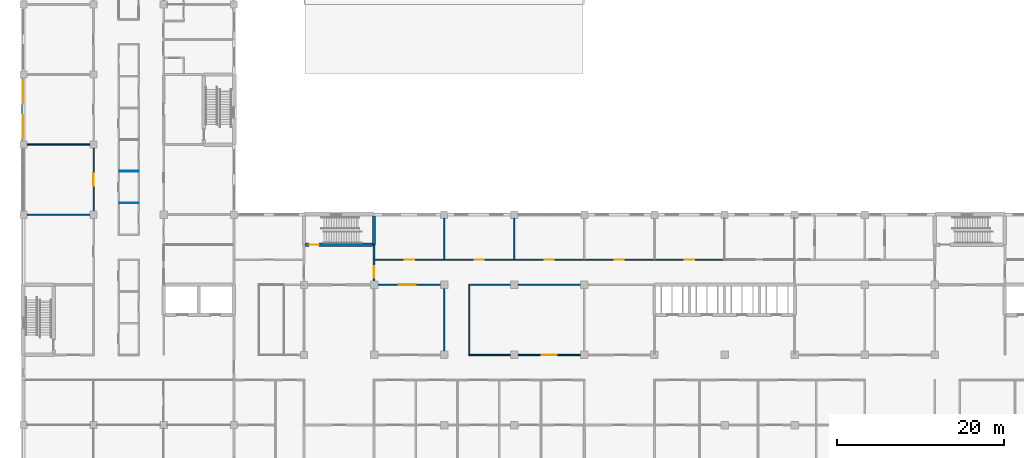
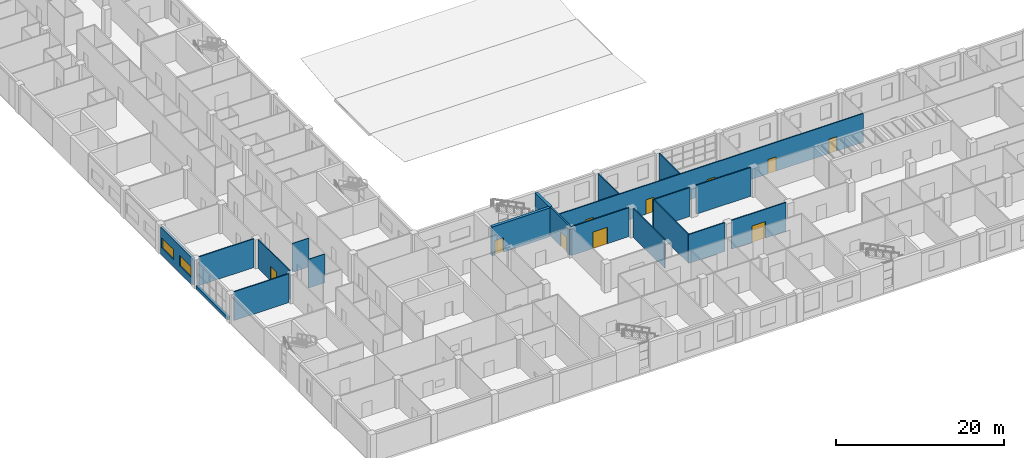
# One storey, part 35 of 66: 20 walls, 10 doors, 2 windows, 12 openings.
"""IFC4 building model written with IfcOpenShell, lengths in metres."""

from ifc_helpers import new_model, si_unit, direction, frame, frame_2d, origin, place, context, subcontext, project, spatial, rectangle, extrude, material, layer, layer_set, type_object, element, fill, save


model = new_model("IFC4")

# Units and contexts
model_context = context("Model", 3, precision=1e-05, world=origin(), true_north=direction((0.0, 1.0)))
body_context = subcontext(model_context, "Body", "Model", "MODEL_VIEW")
ifc_project = project(units=[si_unit("LENGTHUNIT", "METRE"), si_unit("AREAUNIT", "SQUARE_METRE"), si_unit("VOLUMEUNIT", "CUBIC_METRE"), si_unit("PLANEANGLEUNIT", "RADIAN"), si_unit("MASSUNIT", "GRAM", prefix="KILO")], contexts=[model_context])

# Site, building, storey
site_placement = place(None, origin())
site = spatial("IfcSite", under=ifc_project, at=site_placement, CompositionType="ELEMENT")
building_placement = place(site_placement, origin())
building = spatial("IfcBuilding", under=site, at=building_placement, Name="Yavir Park General Hospital", CompositionType="ELEMENT")
storey_placement = place(building_placement, frame((0.0, 0.0, 8.39990234375)))
storey = spatial("IfcBuildingStorey", under=building, at=storey_placement, Name="L02", CompositionType="ELEMENT", Elevation=8.39990234375)

# Wall, opening, door
ifc_material_1 = material(Name="Double gypsum board fire partition on steel studs", Category="steel")
ifc_layer_1 = layer(ifc_material_1, 0.199951171875)
ifc_layer_set_1 = layer_set([ifc_layer_1], Name="Double gypsum board fire partition on steel studs")
wall_type_1 = type_object("IfcWallType", Name="Fire-rated partition 200, EI 60", PredefinedType="PARTITIONING", material=ifc_layer_set_1)
wall_1_placement = place(storey_placement, frame((42.0, 25.300048828125, 0.0), z_axis=(0.0, 0.0, 1.0), x_axis=(0.0, 1.0, 0.0)))
wall_1 = element("IfcWall", 1, at=wall_1_placement, inside=storey, type_object=wall_type_1, Name="FP20 L02-234", PredefinedType="PARTITIONING", context=body_context, shape_type="SweptSolid", body=[
    extrude(rectangle(XDim=4.699951171875, YDim=0.199951171875, at=frame_2d((2.35009765625, 0.0))), origin(), (0.0, 0.0, 1.0), 4.2001953125),
])
opening_1_placement = place(wall_1_placement, frame((0.75, 0.0, 0.0)))
opening_1 = element("IfcOpeningElement", 2, at=opening_1_placement, cuts=wall_1, Name="Opening L02.D177", PredefinedType="OPENING", context=body_context, shape_type="SweptSolid", body=[
    extrude(rectangle(XDim=1.39990234375, YDim=2.10009765625, at=frame_2d((0.699951171875, 1.050048828125))), frame((0.0, 0.10986328125, 0.0), z_axis=(0.0, -1.0, 0.0), x_axis=(1.0, 0.0, 0.0)), (0.0, 0.0, 1.0), 0.219970703125),
])
ifc_material_2 = material(Name="Steel frame, fire-resisting leaves with vision panels", Category="steel")
door_type_1 = type_object("IfcDoorType", Name="Double fire door with vision panels 1400 x 2100, EI 60", OperationType="DOUBLE_DOOR_SINGLE_SWING", PredefinedType="DOOR", material=ifc_material_2)
door_1_placement = place(opening_1_placement, origin())
door_1 = element("IfcDoor", 3, at=door_1_placement, inside=storey, type_object=door_type_1, Name="L02.D177", OperationType="SINGLE_SWING_RIGHT", OverallHeight=2.10009765625, OverallWidth=1.39990234375, PredefinedType="DOOR", context=body_context, shape_type="SweptSolid", body=[
    extrude(rectangle(XDim=1.39990234375, YDim=2.10009765625, at=frame_2d((0.699951171875, 1.050048828125))), frame((0.0, 0.030029296875, 0.0), z_axis=(0.0, -1.0, 0.0), x_axis=(1.0, 0.0, 0.0)), (0.0, 0.0, 1.0), 0.06005859375),
])
fill(opening_1, door_1)

# Walls
ifc_material_3 = material(Name="Gypsum board partition on steel studs", Category="steel")
ifc_layer_2 = layer(ifc_material_3, 0.10009765625)
ifc_layer_set_2 = layer_set([ifc_layer_2], Name="Gypsum board partition on steel studs")
wall_type_2 = type_object("IfcWallType", Name="Gypsum board partition 100", PredefinedType="PARTITIONING", material=ifc_layer_set_2)
for number, where, z_axis, x_axis, name in (
    (4, (11.47509765625, 35.0, 0.0), (0.0, 0.0, 1.0), (1.0, 0.0, 0.0), "P10 L02-084"),
    (5, (11.47509765625, 38.800048828125, 0.0), (0.0, 0.0, 1.0), (1.0, 0.0, 0.0), "P10 L02-085"),
):
    element("IfcWall", number, at=place(storey_placement, frame(where, z_axis=z_axis, x_axis=x_axis)), inside=storey, type_object=wall_type_2, Name=name, PredefinedType="PARTITIONING", context=body_context, shape_type="SweptSolid", body=[
        extrude(rectangle(XDim=2.25, YDim=0.10009765625, at=frame_2d((1.125, 0.0))), origin(), (0.0, 0.0, 1.0), 4.2001953125),
    ])
ifc_material_4 = material(Name="Gypsum board partition on steel studs", Category="steel")
ifc_layer_3 = layer(ifc_material_4, 0.14990234375)
ifc_layer_set_3 = layer_set([ifc_layer_3], Name="Gypsum board partition on steel studs")
wall_type_3 = type_object("IfcWallType", Name="Gypsum board partition 150", PredefinedType="PARTITIONING", material=ifc_layer_set_3)
wall_2_placement = place(storey_placement, frame((53.324951171875, 16.800048828125, 0.0), z_axis=(0.0, 0.0, 1.0), x_axis=(1.0, 0.0, 0.0)))
element("IfcWall", 6, at=wall_2_placement, inside=storey, type_object=wall_type_3, Name="P15 L02-040", PredefinedType="PARTITIONING", context=body_context, shape_type="SweptSolid", body=[
    extrude(rectangle(XDim=5.025146484375, YDim=0.14990234375, at=frame_2d((2.5126953125, 0.0))), origin(), (0.0, 0.0, 1.0), 4.2001953125),
])

# Wall, opening, door
wall_3_placement = place(storey_placement, frame((59.25, 16.800048828125, 0.0), z_axis=(0.0, 0.0, 1.0), x_axis=(1.0, 0.0, 0.0)))
wall_3 = element("IfcWall", 7, at=wall_3_placement, inside=storey, type_object=wall_type_3, Name="P15 L02-041", PredefinedType="PARTITIONING", context=body_context, shape_type="SweptSolid", body=[
    extrude(rectangle(XDim=7.5, YDim=0.14990234375, at=frame_2d((3.75, 0.0))), origin(), (0.0, 0.0, 1.0), 4.2001953125),
])
opening_2_placement = place(wall_3_placement, frame((2.85009765625, 0.0, 0.0)))
opening_2 = element("IfcOpeningElement", 8, at=opening_2_placement, cuts=wall_3, Name="Opening L02.D057", PredefinedType="OPENING", context=body_context, shape_type="SweptSolid", body=[
    extrude(rectangle(XDim=1.800048828125, YDim=2.39990234375, at=frame_2d((0.89990234375, 1.199951171875))), frame((0.0, 0.0849609375, 0.0), z_axis=(0.0, -1.0, 0.0), x_axis=(1.0, 0.0, 0.0)), (0.0, 0.0, 1.0), 0.169921875),
])
ifc_material_5 = material(Name="Solid-core timber leaves, push plates, kick plates", Category="wood")
door_type_2 = type_object("IfcDoorType", Name="Bed door, double leaf 1800 x 2400", OperationType="DOUBLE_DOOR_SINGLE_SWING", PredefinedType="DOOR", material=ifc_material_5)
door_2_placement = place(opening_2_placement, origin())
door_2 = element("IfcDoor", 9, at=door_2_placement, inside=storey, type_object=door_type_2, Name="L02.D057", OperationType="SINGLE_SWING_RIGHT", OverallHeight=2.39990234375, OverallWidth=1.800048828125, PredefinedType="DOOR", context=body_context, shape_type="SweptSolid", body=[
    extrude(rectangle(XDim=1.800048828125, YDim=2.39990234375, at=frame_2d((0.89990234375, 1.199951171875))), frame((0.0, 0.030029296875, 0.0), z_axis=(0.0, -1.0, 0.0), x_axis=(1.0, 0.0, 0.0)), (0.0, 0.0, 1.0), 0.06005859375),
])
fill(opening_2, door_2)

wall_4_placement = place(storey_placement, frame((42.0, 25.199951171875, 0.0), z_axis=(0.0, 0.0, 1.0), x_axis=(1.0, 0.0, 0.0)))
wall_4 = element("IfcWall", 10, at=wall_4_placement, inside=storey, type_object=wall_type_3, Name="P15 L02-060", PredefinedType="PARTITIONING", context=body_context, shape_type="SweptSolid", body=[
    extrude(rectangle(XDim=7.949951171875, YDim=0.14990234375, at=frame_2d((3.97509765625, 0.0))), origin(), (0.0, 0.0, 1.0), 4.2001953125),
])
opening_3_placement = place(wall_4_placement, frame((2.97509765625, 0.0, 0.0)))
opening_3 = element("IfcOpeningElement", 11, at=opening_3_placement, cuts=wall_4, Name="Opening L02.D075", PredefinedType="OPENING", context=body_context, shape_type="SweptSolid", body=[
    extrude(rectangle(XDim=2.0, YDim=2.39990234375, at=frame_2d((1.0, 1.199951171875))), frame((0.0, 0.0849609375, 0.0), z_axis=(0.0, -1.0, 0.0), x_axis=(1.0, 0.0, 0.0)), (0.0, 0.0, 1.0), 0.169921875),
])
ifc_material_6 = material(Name="Hermetic steel-faced sliding leaves, hygienic coating", Category="steel")
door_type_3 = type_object("IfcDoorType", Name="Sterile bi-parting sliding door 2000 x 2400", OperationType="DOUBLE_DOOR_SLIDING", PredefinedType="DOOR", material=ifc_material_6)
door_3_placement = place(opening_3_placement, origin())
door_3 = element("IfcDoor", 12, at=door_3_placement, inside=storey, type_object=door_type_3, Name="L02.D075", OperationType="DOUBLE_DOOR_SLIDING", OverallHeight=2.39990234375, OverallWidth=2.0, PredefinedType="DOOR", context=body_context, shape_type="SweptSolid", body=[
    extrude(rectangle(XDim=2.0, YDim=2.39990234375, at=frame_2d((1.0, 1.199951171875))), frame((0.0, 0.044921875, 0.0), z_axis=(0.0, -1.0, 0.0), x_axis=(1.0, 0.0, 0.0)), (0.0, 0.0, 1.0), 0.090087890625),
])
fill(opening_3, door_3)

# Walls
wall_5_placement = place(storey_placement, frame((53.324951171875, 25.199951171875, 0.0), z_axis=(0.0, 0.0, 1.0), x_axis=(1.0, 0.0, 0.0)))
element("IfcWall", 13, at=wall_5_placement, inside=storey, type_object=wall_type_3, Name="P15 L02-061", PredefinedType="PARTITIONING", context=body_context, shape_type="SweptSolid", body=[
    extrude(rectangle(XDim=5.025146484375, YDim=0.14990234375, at=frame_2d((2.5126953125, 0.0))), origin(), (0.0, 0.0, 1.0), 4.2001953125),
])
wall_6_placement = place(storey_placement, frame((59.25, 25.199951171875, 0.0), z_axis=(0.0, 0.0, 1.0), x_axis=(1.0, 0.0, 0.0)))
element("IfcWall", 14, at=wall_6_placement, inside=storey, type_object=wall_type_3, Name="P15 L02-062", PredefinedType="PARTITIONING", context=body_context, shape_type="SweptSolid", body=[
    extrude(rectangle(XDim=7.5, YDim=0.14990234375, at=frame_2d((3.75, 0.0))), origin(), (0.0, 0.0, 1.0), 4.2001953125),
])

# Wall, openings, doors
wall_7_placement = place(storey_placement, frame((42.10009765625, 28.199951171875, 0.0), z_axis=(0.0, 0.0, 1.0), x_axis=(1.0, 0.0, 0.0)))
wall_7 = element("IfcWall", 15, at=wall_7_placement, inside=storey, type_object=wall_type_3, Name="P15 L02-074", PredefinedType="PARTITIONING", context=body_context, shape_type="SweptSolid", body=[
    extrude(rectangle(XDim=41.89990234375, YDim=0.14990234375, at=frame_2d((20.949951171875, 0.0))), origin(), (0.0, 0.0, 1.0), 4.2001953125),
])
opening_4_placement = place(wall_7_placement, frame((3.60009765625, 0.0, 0.0)))
opening_4 = element("IfcOpeningElement", 16, at=opening_4_placement, cuts=wall_7, Name="Opening L02.D081", PredefinedType="OPENING", context=body_context, shape_type="SweptSolid", body=[
    extrude(rectangle(XDim=1.10009765625, YDim=2.10009765625, at=frame_2d((0.550048828125, 1.050048828125))), frame((0.0, 0.0849609375, 0.0), z_axis=(0.0, -1.0, 0.0), x_axis=(1.0, 0.0, 0.0)), (0.0, 0.0, 1.0), 0.169921875),
])
opening_5_placement = place(wall_7_placement, frame((11.949951171875, 0.0, 0.0)))
opening_5 = element("IfcOpeningElement", 17, at=opening_5_placement, cuts=wall_7, Name="Opening L02.D082", PredefinedType="OPENING", context=body_context, shape_type="SweptSolid", body=[
    extrude(rectangle(XDim=1.10009765625, YDim=2.10009765625, at=frame_2d((0.550048828125, 1.050048828125))), frame((0.0, 0.0849609375, 0.0), z_axis=(0.0, -1.0, 0.0), x_axis=(1.0, 0.0, 0.0)), (0.0, 0.0, 1.0), 0.169921875),
])
opening_6_placement = place(wall_7_placement, frame((20.35009765625, 0.0, 0.0)))
opening_6 = element("IfcOpeningElement", 18, at=opening_6_placement, cuts=wall_7, Name="Opening L02.D083", PredefinedType="OPENING", context=body_context, shape_type="SweptSolid", body=[
    extrude(rectangle(XDim=1.10009765625, YDim=2.10009765625, at=frame_2d((0.550048828125, 1.050048828125))), frame((0.0, 0.0849609375, 0.0), z_axis=(0.0, -1.0, 0.0), x_axis=(1.0, 0.0, 0.0)), (0.0, 0.0, 1.0), 0.169921875),
])
opening_7_placement = place(wall_7_placement, frame((28.75, 0.0, 0.0)))
opening_7 = element("IfcOpeningElement", 19, at=opening_7_placement, cuts=wall_7, Name="Opening L02.D084", PredefinedType="OPENING", context=body_context, shape_type="SweptSolid", body=[
    extrude(rectangle(XDim=1.10009765625, YDim=2.10009765625, at=frame_2d((0.550048828125, 1.050048828125))), frame((0.0, 0.0849609375, 0.0), z_axis=(0.0, -1.0, 0.0), x_axis=(1.0, 0.0, 0.0)), (0.0, 0.0, 1.0), 0.169921875),
])
opening_8_placement = place(wall_7_placement, frame((37.14990234375, 0.0, 0.0)))
opening_8 = element("IfcOpeningElement", 20, at=opening_8_placement, cuts=wall_7, Name="Opening L02.D085", PredefinedType="OPENING", context=body_context, shape_type="SweptSolid", body=[
    extrude(rectangle(XDim=1.10009765625, YDim=2.10009765625, at=frame_2d((0.550048828125, 1.050048828125))), frame((0.0, 0.0849609375, 0.0), z_axis=(0.0, -1.0, 0.0), x_axis=(1.0, 0.0, 0.0)), (0.0, 0.0, 1.0), 0.169921875),
])
ifc_material_7 = material(Name="Hollow metal frame, solid-core timber leaf", Category="wood")
door_type_4 = type_object("IfcDoorType", Name="Single swing door 1100 x 2100", OperationType="SINGLE_SWING_LEFT", PredefinedType="DOOR", material=ifc_material_7)
door_4_placement = place(opening_4_placement, origin())
door_4 = element("IfcDoor", 21, at=door_4_placement, inside=storey, type_object=door_type_4, Name="L02.D081", OperationType="SINGLE_SWING_LEFT", OverallHeight=2.10009765625, OverallWidth=1.10009765625, PredefinedType="DOOR", context=body_context, shape_type="SweptSolid", body=[
    extrude(rectangle(XDim=1.10009765625, YDim=2.10009765625, at=frame_2d((0.550048828125, 1.050048828125))), frame((0.0, 0.02490234375, 0.0), z_axis=(0.0, -1.0, 0.0), x_axis=(1.0, 0.0, 0.0)), (0.0, 0.0, 1.0), 0.050048828125),
])
fill(opening_4, door_4)
door_5_placement = place(opening_5_placement, origin())
door_5 = element("IfcDoor", 22, at=door_5_placement, inside=storey, type_object=door_type_4, Name="L02.D082", OperationType="SINGLE_SWING_RIGHT", OverallHeight=2.10009765625, OverallWidth=1.10009765625, PredefinedType="DOOR", context=body_context, shape_type="SweptSolid", body=[
    extrude(rectangle(XDim=1.10009765625, YDim=2.10009765625, at=frame_2d((0.550048828125, 1.050048828125))), frame((0.0, 0.02490234375, 0.0), z_axis=(0.0, -1.0, 0.0), x_axis=(1.0, 0.0, 0.0)), (0.0, 0.0, 1.0), 0.050048828125),
])
fill(opening_5, door_5)
door_6_placement = place(opening_6_placement, origin())
door_6 = element("IfcDoor", 23, at=door_6_placement, inside=storey, type_object=door_type_4, Name="L02.D083", OperationType="SINGLE_SWING_RIGHT", OverallHeight=2.10009765625, OverallWidth=1.10009765625, PredefinedType="DOOR", context=body_context, shape_type="SweptSolid", body=[
    extrude(rectangle(XDim=1.10009765625, YDim=2.10009765625, at=frame_2d((0.550048828125, 1.050048828125))), frame((0.0, 0.02490234375, 0.0), z_axis=(0.0, -1.0, 0.0), x_axis=(1.0, 0.0, 0.0)), (0.0, 0.0, 1.0), 0.050048828125),
])
fill(opening_6, door_6)
door_7_placement = place(opening_7_placement, origin())
door_7 = element("IfcDoor", 24, at=door_7_placement, inside=storey, type_object=door_type_4, Name="L02.D084", OperationType="SINGLE_SWING_RIGHT", OverallHeight=2.10009765625, OverallWidth=1.10009765625, PredefinedType="DOOR", context=body_context, shape_type="SweptSolid", body=[
    extrude(rectangle(XDim=1.10009765625, YDim=2.10009765625, at=frame_2d((0.550048828125, 1.050048828125))), frame((0.0, 0.02490234375, 0.0), z_axis=(0.0, -1.0, 0.0), x_axis=(1.0, 0.0, 0.0)), (0.0, 0.0, 1.0), 0.050048828125),
])
fill(opening_7, door_7)
door_8_placement = place(opening_8_placement, origin())
door_8 = element("IfcDoor", 25, at=door_8_placement, inside=storey, type_object=door_type_4, Name="L02.D085", OperationType="SINGLE_SWING_RIGHT", OverallHeight=2.10009765625, OverallWidth=1.10009765625, PredefinedType="DOOR", context=body_context, shape_type="SweptSolid", body=[
    extrude(rectangle(XDim=1.10009765625, YDim=2.10009765625, at=frame_2d((0.550048828125, 1.050048828125))), frame((0.0, 0.02490234375, 0.0), z_axis=(0.0, -1.0, 0.0), x_axis=(1.0, 0.0, 0.0)), (0.0, 0.0, 1.0), 0.050048828125),
])
fill(opening_8, door_8)

# Walls
for number, where, z_axis, x_axis, name in (
    (26, (0.425048828125, 33.60009765625, 0.0), (0.0, 0.0, 1.0), (1.0, 0.0, 0.0), "P15 L02-082"),
    (27, (0.425048828125, 42.0, 0.0), (0.0, 0.0, 1.0), (1.0, 0.0, 0.0), "P15 L02-086"),
):
    element("IfcWall", number, at=place(storey_placement, frame(where, z_axis=z_axis, x_axis=x_axis)), inside=storey, type_object=wall_type_3, Name=name, PredefinedType="PARTITIONING", context=body_context, shape_type="SweptSolid", body=[
        extrude(rectangle(XDim=7.550048828125, YDim=0.14990234375, at=frame_2d((3.77490234375, 0.0))), origin(), (0.0, 0.0, 1.0), 4.2001953125),
    ])

# Wall, opening, door
wall_8_placement = place(storey_placement, frame((8.39990234375, 34.02490234375, 0.0), z_axis=(0.0, 0.0, 1.0), x_axis=(0.0, 1.0, 0.0)))
wall_8 = element("IfcWall", 28, at=wall_8_placement, inside=storey, type_object=wall_type_3, Name="P15 L02-169", PredefinedType="PARTITIONING", context=body_context, shape_type="SweptSolid", body=[
    extrude(rectangle(XDim=7.550048828125, YDim=0.14990234375, at=frame_2d((3.77490234375, 0.0))), origin(), (0.0, 0.0, 1.0), 4.2001953125),
])
opening_9_placement = place(wall_8_placement, frame((3.074951171875, 0.0, 0.0)))
opening_9 = element("IfcOpeningElement", 29, at=opening_9_placement, cuts=wall_8, Name="Opening L02.D119", PredefinedType="OPENING", context=body_context, shape_type="SweptSolid", body=[
    extrude(rectangle(XDim=1.39990234375, YDim=2.10009765625, at=frame_2d((0.699951171875, 1.050048828125))), frame((0.0, 0.0849609375, 0.0), z_axis=(0.0, -1.0, 0.0), x_axis=(1.0, 0.0, 0.0)), (0.0, 0.0, 1.0), 0.169921875),
])
ifc_material_8 = material(Name="Hollow metal frame, solid-core timber leaf", Category="wood")
door_type_5 = type_object("IfcDoorType", Name="Double swing door 1400 x 2100", OperationType="DOUBLE_DOOR_SINGLE_SWING", PredefinedType="DOOR", material=ifc_material_8)
door_9_placement = place(opening_9_placement, origin())
door_9 = element("IfcDoor", 30, at=door_9_placement, inside=storey, type_object=door_type_5, Name="L02.D119", OperationType="SINGLE_SWING_RIGHT", OverallHeight=2.10009765625, OverallWidth=1.39990234375, PredefinedType="DOOR", context=body_context, shape_type="SweptSolid", body=[
    extrude(rectangle(XDim=1.39990234375, YDim=2.10009765625, at=frame_2d((0.699951171875, 1.050048828125))), frame((0.0, 0.02490234375, 0.0), z_axis=(0.0, -1.0, 0.0), x_axis=(1.0, 0.0, 0.0)), (0.0, 0.0, 1.0), 0.050048828125),
])
fill(opening_9, door_9)

# Walls
wall_9_placement = place(storey_placement, frame((50.39990234375, 17.25, 0.0), z_axis=(0.0, 0.0, 1.0), x_axis=(0.0, 1.0, 0.0)))
element("IfcWall", 31, at=wall_9_placement, inside=storey, type_object=wall_type_3, Name="P15 L02-238", PredefinedType="PARTITIONING", context=body_context, shape_type="SweptSolid", body=[
    extrude(rectangle(XDim=7.5, YDim=0.14990234375, at=frame_2d((3.75, 0.0))), origin(), (0.0, 0.0, 1.0), 4.2001953125),
])
wall_10_placement = place(storey_placement, frame((50.39990234375, 28.27490234375, 0.0), z_axis=(0.0, 0.0, 1.0), x_axis=(0.0, 1.0, 0.0)))
element("IfcWall", 32, at=wall_10_placement, inside=storey, type_object=wall_type_3, Name="P15 L02-239", PredefinedType="PARTITIONING", context=body_context, shape_type="SweptSolid", body=[
    extrude(rectangle(XDim=4.900146484375, YDim=0.14990234375, at=frame_2d((2.4501953125, 0.0))), origin(), (0.0, 0.0, 1.0), 4.2001953125),
])
wall_11_placement = place(storey_placement, frame((53.39990234375, 16.875, 0.0), z_axis=(0.0, 0.0, 1.0), x_axis=(0.0, 1.0, 0.0)))
element("IfcWall", 33, at=wall_11_placement, inside=storey, type_object=wall_type_3, Name="P15 L02-242", PredefinedType="PARTITIONING", context=body_context, shape_type="SweptSolid", body=[
    extrude(rectangle(XDim=8.25, YDim=0.14990234375, at=frame_2d((4.125, 0.0))), origin(), (0.0, 0.0, 1.0), 4.2001953125),
])
wall_12_placement = place(storey_placement, frame((58.800048828125, 28.27490234375, 0.0), z_axis=(0.0, 0.0, 1.0), x_axis=(0.0, 1.0, 0.0)))
element("IfcWall", 34, at=wall_12_placement, inside=storey, type_object=wall_type_3, Name="P15 L02-245", PredefinedType="PARTITIONING", context=body_context, shape_type="SweptSolid", body=[
    extrude(rectangle(XDim=4.900146484375, YDim=0.14990234375, at=frame_2d((2.4501953125, 0.0))), origin(), (0.0, 0.0, 1.0), 4.2001953125),
])
ifc_material_9 = material(Name="Autoclaved aerated block, 150 mm mineral wool and sand-coloured mineral render")
ifc_layer_4 = layer(ifc_material_9, 0.375)
ifc_layer_set_4 = layer_set([ifc_layer_4], Name="Autoclaved aerated block, 150 mm mineral wool and sand-coloured mineral render")
wall_type_4 = type_object("IfcWallType", Name="Mineral render clinical wall 375, E 30", PredefinedType="SOLIDWALL", material=ifc_layer_set_4)
wall_13_placement = place(storey_placement, frame((-0.03759765625, 34.02490234375, 0.0), z_axis=(0.0, 0.0, 1.0), x_axis=(0.0, 1.0, 0.0)))
element("IfcWall", 35, at=wall_13_placement, inside=storey, type_object=wall_type_4, Name="XW1 L02-118", PredefinedType="SOLIDWALL", context=body_context, shape_type="SweptSolid", body=[
    extrude(rectangle(XDim=7.550048828125, YDim=0.375, at=frame_2d((3.77490234375, 0.0))), origin(), (0.0, 0.0, 1.0), 0.4501953125),
])

# Wall, openings, windows
wall_14_placement = place(storey_placement, frame((-0.03759765625, 42.425048828125, 0.0), z_axis=(0.0, 0.0, 1.0), x_axis=(0.0, 1.0, 0.0)))
wall_14 = element("IfcWall", 36, at=wall_14_placement, inside=storey, type_object=wall_type_4, Name="XW1 L02-119", PredefinedType="SOLIDWALL", context=body_context, shape_type="SweptSolid", body=[
    extrude(rectangle(XDim=7.550048828125, YDim=0.375, at=frame_2d((3.77490234375, 0.0))), origin(), (0.0, 0.0, 1.0), 3.900146484375),
])
opening_10_placement = place(wall_14_placement, frame((0.27490234375, 0.0, 1.0)))
opening_10 = element("IfcOpeningElement", 37, at=opening_10_placement, cuts=wall_14, Name="Opening WRB2", PredefinedType="OPENING", context=body_context, shape_type="SweptSolid", body=[
    extrude(rectangle(XDim=2.800048828125, YDim=1.5, at=frame_2d((1.39990234375, 0.75))), frame((0.0, 0.197509765625, 0.0), z_axis=(0.0, -1.0, 0.0), x_axis=(1.0, 0.0, 0.0)), (0.0, 0.0, 1.0), 0.39501953125),
])
opening_11_placement = place(wall_14_placement, frame((4.47509765625, 0.0, 1.0)))
opening_11 = element("IfcOpeningElement", 38, at=opening_11_placement, cuts=wall_14, Name="Opening WRB2", PredefinedType="OPENING", context=body_context, shape_type="SweptSolid", body=[
    extrude(rectangle(XDim=2.800048828125, YDim=1.5, at=frame_2d((1.39990234375, 0.75))), frame((0.0, 0.197509765625, 0.0), z_axis=(0.0, -1.0, 0.0), x_axis=(1.0, 0.0, 0.0)), (0.0, 0.0, 1.0), 0.39501953125),
])
ifc_material_10 = material(Name="Aluminium frame, double glazed unit", Category="aluminium")
window_type = type_object("IfcWindowType", Name="Tall ribbon window 2800 x 1500", PartitioningType="DOUBLE_PANEL_VERTICAL", PredefinedType="WINDOW", material=ifc_material_10)
window_1_placement = place(opening_10_placement, origin())
window_1 = element("IfcWindow", 39, at=window_1_placement, inside=storey, type_object=window_type, Name="WRB2 L02-050", OverallHeight=1.5, OverallWidth=2.800048828125, PartitioningType="DOUBLE_PANEL_VERTICAL", PredefinedType="WINDOW", context=body_context, shape_type="SweptSolid", body=[
    extrude(rectangle(XDim=2.800048828125, YDim=1.5, at=frame_2d((1.39990234375, 0.75))), frame((0.0, 0.030029296875, 0.0), z_axis=(0.0, -1.0, 0.0), x_axis=(1.0, 0.0, 0.0)), (0.0, 0.0, 1.0), 0.06005859375),
])
fill(opening_10, window_1)
window_2_placement = place(opening_11_placement, origin())
window_2 = element("IfcWindow", 40, at=window_2_placement, inside=storey, type_object=window_type, Name="WRB2 L02-051", OverallHeight=1.5, OverallWidth=2.800048828125, PartitioningType="DOUBLE_PANEL_VERTICAL", PredefinedType="WINDOW", context=body_context, shape_type="SweptSolid", body=[
    extrude(rectangle(XDim=2.800048828125, YDim=1.5, at=frame_2d((1.39990234375, 0.75))), frame((0.0, 0.030029296875, 0.0), z_axis=(0.0, -1.0, 0.0), x_axis=(1.0, 0.0, 0.0)), (0.0, 0.0, 1.0), 0.06005859375),
])
fill(opening_11, window_2)

# Wall, opening, door
ifc_material_11 = material(Name="Concrete C35/45", Category="concrete")
ifc_layer_5 = layer(ifc_material_11, 0.39990234375)
ifc_layer_set_5 = layer_set([ifc_layer_5], Name="Concrete C35/45")
wall_type_5 = type_object("IfcWallType", Name="Reinforced concrete core wall 400, REI 150", PredefinedType="SHEAR", material=ifc_layer_set_5)
wall_15_placement = place(storey_placement, frame((33.800048828125, 30.0, 0.0), z_axis=(0.0, 0.0, 1.0), x_axis=(1.0, 0.0, 0.0)))
wall_15 = element("IfcWall", 41, at=wall_15_placement, inside=storey, type_object=wall_type_5, Name="CW40 L02-079", PredefinedType="SHEAR", context=body_context, shape_type="SweptSolid", body=[
    extrude(rectangle(XDim=8.0, YDim=0.39990234375, at=frame_2d((4.0, 0.0))), origin(), (0.0, 0.0, 1.0), 4.2001953125),
])
opening_12_placement = place(wall_15_placement, frame((0.39990234375, 0.0, 0.0)))
opening_12 = element("IfcOpeningElement", 42, at=opening_12_placement, cuts=wall_15, Name="Opening L02.D099", PredefinedType="OPENING", context=body_context, shape_type="SweptSolid", body=[
    extrude(rectangle(XDim=1.199951171875, YDim=2.10009765625, at=frame_2d((0.60009765625, 1.050048828125))), frame((0.0, 0.2099609375, 0.0), z_axis=(0.0, -1.0, 0.0), x_axis=(1.0, 0.0, 0.0)), (0.0, 0.0, 1.0), 0.419921875),
])
ifc_material_12 = material(Name="Steel frame, fire-resisting timber leaf", Category="steel")
door_type_6 = type_object("IfcDoorType", Name="Fire door 1200 x 2100, EI 60", OperationType="SINGLE_SWING_LEFT", PredefinedType="DOOR", material=ifc_material_12)
door_10_placement = place(opening_12_placement, origin())
door_10 = element("IfcDoor", 43, at=door_10_placement, inside=storey, type_object=door_type_6, Name="L02.D099", OperationType="SINGLE_SWING_RIGHT", OverallHeight=2.10009765625, OverallWidth=1.199951171875, PredefinedType="DOOR", context=body_context, shape_type="SweptSolid", body=[
    extrude(rectangle(XDim=1.199951171875, YDim=2.10009765625, at=frame_2d((0.60009765625, 1.050048828125))), frame((0.0, 0.02490234375, 0.0), z_axis=(0.0, -1.0, 0.0), x_axis=(1.0, 0.0, 0.0)), (0.0, 0.0, 1.0), 0.050048828125),
])
fill(opening_12, door_10)

# Wall
wall_16_placement = place(storey_placement, frame((42.0, 30.0, 0.0), z_axis=(0.0, 0.0, 1.0), x_axis=(0.0, 1.0, 0.0)))
element("IfcWall", 44, at=wall_16_placement, inside=storey, type_object=wall_type_5, Name="CW40 L02-235", PredefinedType="SHEAR", context=body_context, shape_type="SweptSolid", body=[
    extrude(rectangle(XDim=3.449951171875, YDim=0.39990234375, at=frame_2d((1.72509765625, 0.0))), origin(), (0.0, 0.0, 1.0), 4.2001953125),
])

save(model, "model.ifc")
